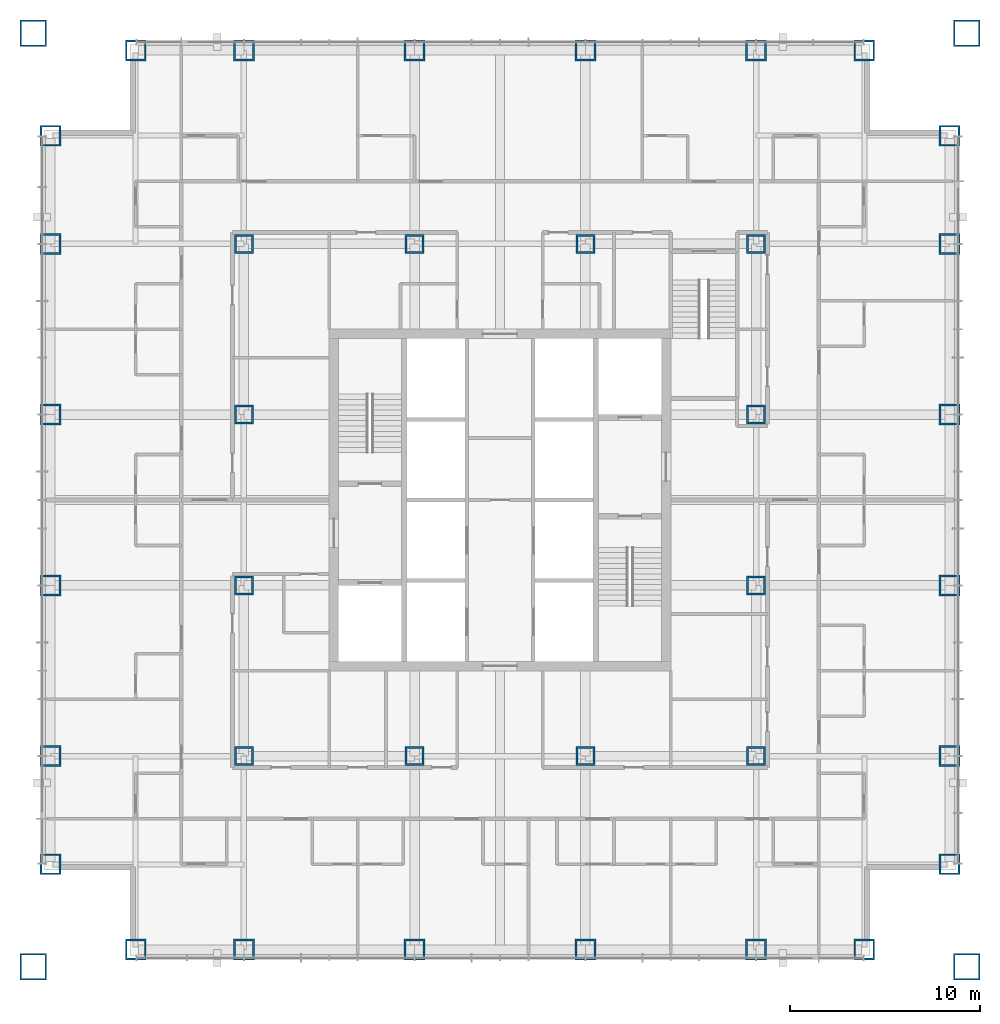
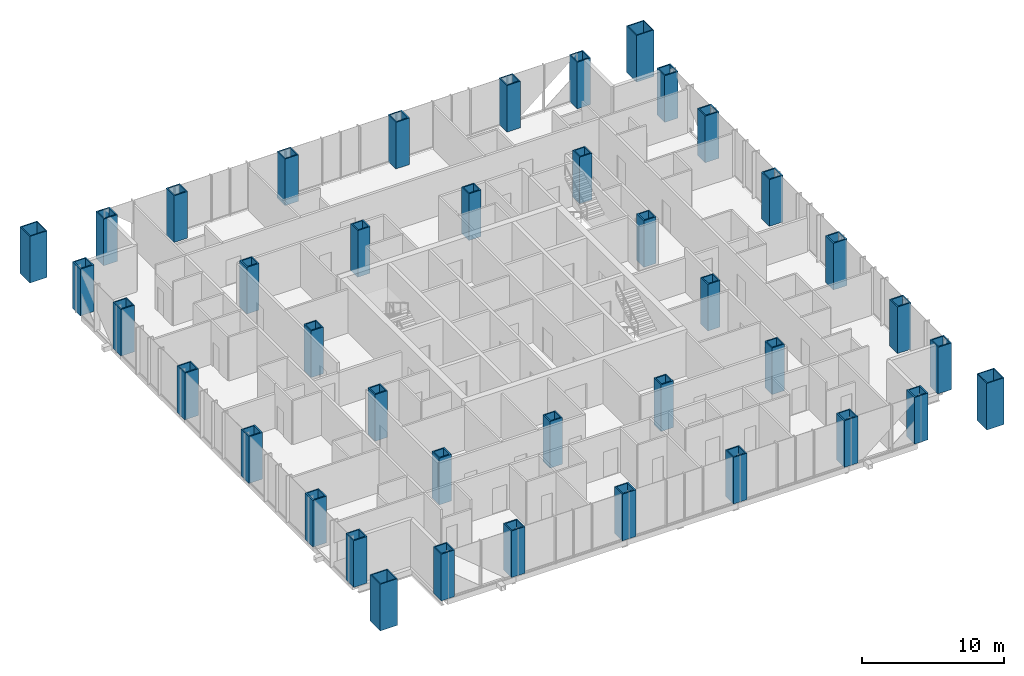
# One storey, part 1 of 18: 40 columns.
"""IFC4 building model written with IfcOpenShell, lengths in metres."""

from ifc_helpers import new_model, si_unit, direction, frame, origin, origin_2d, place, context, subcontext, project, spatial, hollow_rectangle, extrude, material, material_profile, profile_set, type_object, element, save


model = new_model("IFC4")

# Units and contexts
model_context = context("Model", 3, precision=1e-05, world=origin(), true_north=direction((0.0, 1.0)))
body_context = subcontext(model_context, "Body", "Model", "MODEL_VIEW")
ifc_project = project(units=[si_unit("LENGTHUNIT", "METRE"), si_unit("AREAUNIT", "SQUARE_METRE"), si_unit("VOLUMEUNIT", "CUBIC_METRE"), si_unit("PLANEANGLEUNIT", "RADIAN"), si_unit("MASSUNIT", "GRAM", prefix="KILO")], contexts=[model_context])

# Site, building, storey
site_placement = place(None, origin())
site = spatial("IfcSite", under=ifc_project, at=site_placement, CompositionType="ELEMENT")
building_placement = place(site_placement, origin())
building = spatial("IfcBuilding", under=site, at=building_placement, Name="Malebo Sky Hospital", CompositionType="ELEMENT")
storey_placement = place(building_placement, frame((0.0, 0.0, 132.0)))
storey = spatial("IfcBuildingStorey", under=building, at=storey_placement, Name="L31", CompositionType="ELEMENT", Elevation=132.0)

# Columns
ifc_material = material(Name="Steel S460", Category="steel")
ifc_material_profile_1 = material_profile(ifc_material, hollow_rectangle(XDim=1.0, YDim=1.0, WallThickness=0.10009765625, at=origin_2d()), Name="BOX 1000x1000x100")
ifc_profile_set_1 = profile_set([ifc_material_profile_1], Name="Steel S460")
column_type_1 = type_object("IfcColumnType", Name="INNER COLUMN BOX 1000x1000x100", PredefinedType="COLUMN", material=ifc_profile_set_1)
for number, where, z_axis, x_axis, name in (
    (1, (46.5, 48.5, 0.0), (0.0, 0.0, 1.0), (1.0, 0.0, 0.0), "Column IC9 L31"),
    (2, (73.5, 48.5, 0.0), (0.0, 0.0, 1.0), (1.0, 0.0, 0.0), "Column IC9 L31"),
    (3, (73.5, 75.5, 0.0), (0.0, 0.0, 1.0), (1.0, 0.0, 0.0), "Column IC9 L31"),
    (4, (46.5, 75.5, 0.0), (0.0, 0.0, 1.0), (1.0, 0.0, 0.0), "Column IC9 L31"),
    (5, (55.5, 48.5, 0.0), (0.0, 0.0, 1.0), (1.0, 0.0, 0.0), "Column IC9 L31"),
    (6, (64.5, 48.5, 0.0), (0.0, 0.0, 1.0), (1.0, 0.0, 0.0), "Column IC9 L31"),
    (7, (55.5, 75.5, 0.0), (0.0, 0.0, 1.0), (1.0, 0.0, 0.0), "Column IC9 L31"),
    (8, (64.5, 75.5, 0.0), (0.0, 0.0, 1.0), (1.0, 0.0, 0.0), "Column IC9 L31"),
    (9, (46.5, 57.5, 0.0), (0.0, 0.0, 1.0), (1.0, 0.0, 0.0), "Column IC9 L31"),
    (10, (46.5, 66.5, 0.0), (0.0, 0.0, 1.0), (1.0, 0.0, 0.0), "Column IC9 L31"),
    (11, (73.5, 57.5, 0.0), (0.0, 0.0, 1.0), (1.0, 0.0, 0.0), "Column IC9 L31"),
    (12, (73.5, 66.5, 0.0), (0.0, 0.0, 1.0), (1.0, 0.0, 0.0), "Column IC9 L31"),
):
    element("IfcColumn", number, at=place(storey_placement, frame(where, z_axis=z_axis, x_axis=x_axis)), inside=storey, type_object=column_type_1, Name=name, PredefinedType="COLUMN", context=body_context, shape_type="SweptSolid", body=[
        extrude(hollow_rectangle(XDim=1.0, YDim=1.0, WallThickness=0.10009765625, at=origin_2d()), origin(), (0.0, 0.0, 1.0), 4.0),
    ])
ifc_material_profile_2 = material_profile(ifc_material, hollow_rectangle(XDim=1.39990234375, YDim=1.39990234375, WallThickness=0.080078125, at=origin_2d()), Name="BOX 1400x1400x80")
ifc_profile_set_2 = profile_set([ifc_material_profile_2], Name="Steel S460")
column_type_2 = type_object("IfcColumnType", Name="MEGA COLUMN BOX 1400x1400x80", PredefinedType="COLUMN", material=ifc_profile_set_2)
for number, where, z_axis, x_axis, name in (
    (13, (35.39990234375, 37.39990234375, 0.0), (0.0, 0.0, 1.0), (1.0, 0.0, 0.0), "Mega column SW L31"),
    (14, (84.60009765625, 37.39990234375, 0.0), (0.0, 0.0, 1.0), (1.0, 0.0, 0.0), "Mega column SE L31"),
    (15, (84.60009765625, 86.60009765625, 0.0), (0.0, 0.0, 1.0), (1.0, 0.0, 0.0), "Mega column NE L31"),
    (16, (35.39990234375, 86.60009765625, 0.0), (0.0, 0.0, 1.0), (1.0, 0.0, 0.0), "Mega column NW L31"),
):
    element("IfcColumn", number, at=place(storey_placement, frame(where, z_axis=z_axis, x_axis=x_axis)), inside=storey, type_object=column_type_2, Name=name, PredefinedType="COLUMN", context=body_context, shape_type="SweptSolid", body=[
        extrude(hollow_rectangle(XDim=1.39990234375, YDim=1.39990234375, WallThickness=0.080078125, at=origin_2d()), origin(), (0.0, 0.0, 1.0), 4.0),
    ])
ifc_material_profile_3 = material_profile(ifc_material, hollow_rectangle(XDim=1.10009765625, YDim=1.10009765625, WallThickness=0.10009765625, at=origin_2d()), Name="BOX 1100x1100x100")
ifc_profile_set_3 = profile_set([ifc_material_profile_3], Name="Steel S460")
column_type_3 = type_object("IfcColumnType", Name="PERIMETER COLUMN BOX 1100x1100x100", PredefinedType="COLUMN", material=ifc_profile_set_3)
for number, where, z_axis, x_axis, name in (
    (17, (40.800048828125, 38.300048828125, 0.0), (0.0, 0.0, 1.0), (1.0, 0.0, 0.0), "Column PC10 L31"),
    (18, (40.800048828125, 85.699951171875, 0.0), (0.0, 0.0, 1.0), (1.0, 0.0, 0.0), "Column PC10 L31"),
    (19, (36.300048828125, 42.800048828125, 0.0), (0.0, 0.0, 1.0), (1.0, 0.0, 0.0), "Column PC10 L31"),
    (20, (83.699951171875, 42.800048828125, 0.0), (0.0, 0.0, 1.0), (1.0, 0.0, 0.0), "Column PC10 L31"),
    (21, (46.5, 38.300048828125, 0.0), (0.0, 0.0, 1.0), (1.0, 0.0, 0.0), "Column PC10 L31"),
    (22, (46.5, 85.699951171875, 0.0), (0.0, 0.0, 1.0), (1.0, 0.0, 0.0), "Column PC10 L31"),
    (23, (36.300048828125, 48.5, 0.0), (0.0, 0.0, 1.0), (1.0, 0.0, 0.0), "Column PC10 L31"),
    (24, (83.699951171875, 48.5, 0.0), (0.0, 0.0, 1.0), (1.0, 0.0, 0.0), "Column PC10 L31"),
    (25, (55.5, 38.300048828125, 0.0), (0.0, 0.0, 1.0), (1.0, 0.0, 0.0), "Column PC10 L31"),
    (26, (55.5, 85.699951171875, 0.0), (0.0, 0.0, 1.0), (1.0, 0.0, 0.0), "Column PC10 L31"),
    (27, (36.300048828125, 57.5, 0.0), (0.0, 0.0, 1.0), (1.0, 0.0, 0.0), "Column PC10 L31"),
    (28, (83.699951171875, 57.5, 0.0), (0.0, 0.0, 1.0), (1.0, 0.0, 0.0), "Column PC10 L31"),
    (29, (64.5, 38.300048828125, 0.0), (0.0, 0.0, 1.0), (1.0, 0.0, 0.0), "Column PC10 L31"),
    (30, (64.5, 85.699951171875, 0.0), (0.0, 0.0, 1.0), (1.0, 0.0, 0.0), "Column PC10 L31"),
    (31, (36.300048828125, 66.5, 0.0), (0.0, 0.0, 1.0), (1.0, 0.0, 0.0), "Column PC10 L31"),
    (32, (83.699951171875, 66.5, 0.0), (0.0, 0.0, 1.0), (1.0, 0.0, 0.0), "Column PC10 L31"),
    (33, (73.5, 38.300048828125, 0.0), (0.0, 0.0, 1.0), (1.0, 0.0, 0.0), "Column PC10 L31"),
    (34, (73.5, 85.699951171875, 0.0), (0.0, 0.0, 1.0), (1.0, 0.0, 0.0), "Column PC10 L31"),
    (35, (36.300048828125, 75.5, 0.0), (0.0, 0.0, 1.0), (1.0, 0.0, 0.0), "Column PC10 L31"),
    (36, (83.699951171875, 75.5, 0.0), (0.0, 0.0, 1.0), (1.0, 0.0, 0.0), "Column PC10 L31"),
    (37, (79.199951171875, 38.300048828125, 0.0), (0.0, 0.0, 1.0), (1.0, 0.0, 0.0), "Column PC10 L31"),
    (38, (79.199951171875, 85.699951171875, 0.0), (0.0, 0.0, 1.0), (1.0, 0.0, 0.0), "Column PC10 L31"),
    (39, (36.300048828125, 81.199951171875, 0.0), (0.0, 0.0, 1.0), (1.0, 0.0, 0.0), "Column PC10 L31"),
    (40, (83.699951171875, 81.199951171875, 0.0), (0.0, 0.0, 1.0), (1.0, 0.0, 0.0), "Column PC10 L31"),
):
    element("IfcColumn", number, at=place(storey_placement, frame(where, z_axis=z_axis, x_axis=x_axis)), inside=storey, type_object=column_type_3, Name=name, PredefinedType="COLUMN", context=body_context, shape_type="SweptSolid", body=[
        extrude(hollow_rectangle(XDim=1.10009765625, YDim=1.10009765625, WallThickness=0.10009765625, at=origin_2d()), origin(), (0.0, 0.0, 1.0), 4.0),
    ])

save(model, "model.ifc")
